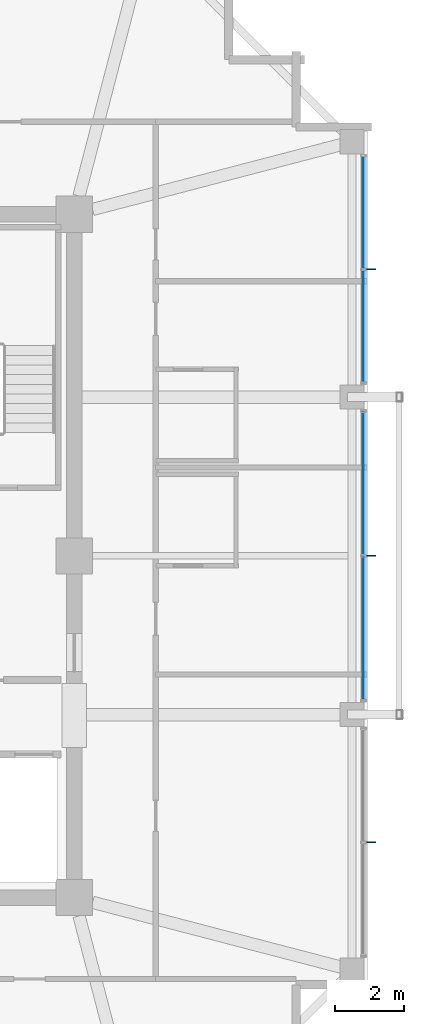
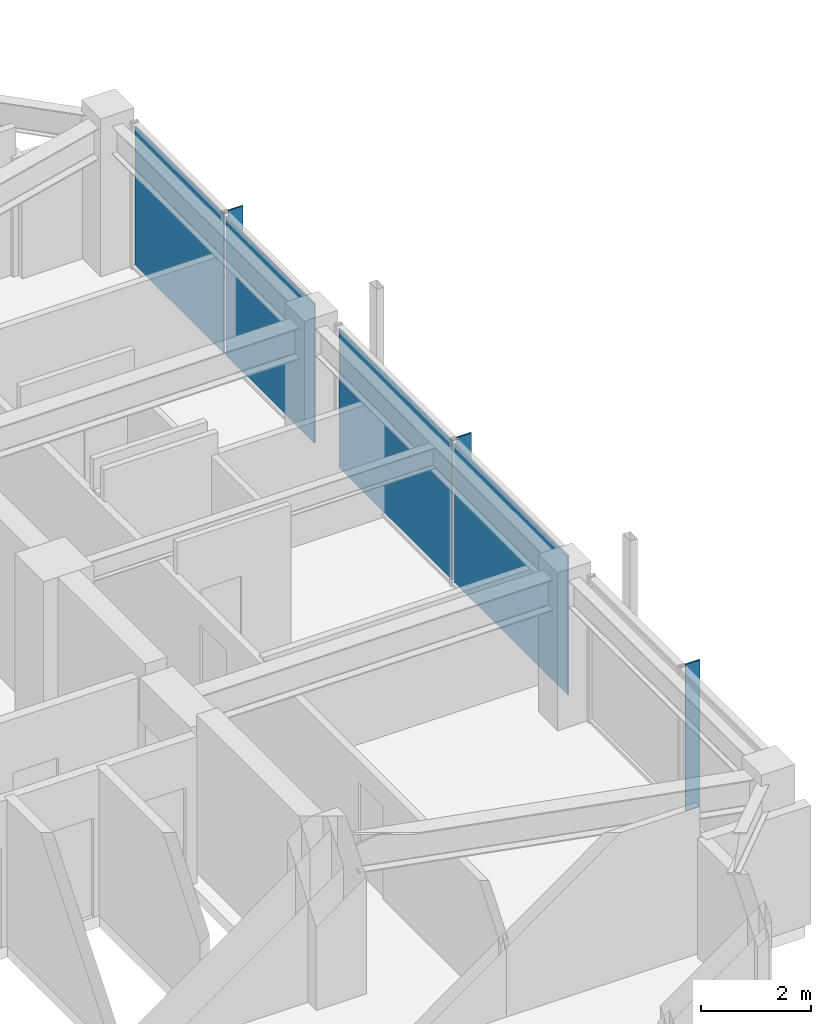
# One storey, part 25 of 34: 7 plates, 2 elements without a shape of their own.
"""IFC4 building model written with IfcOpenShell, lengths in metres."""

from ifc_helpers import new_model, si_unit, direction, frame, origin, origin_2d, place, context, subcontext, project, spatial, rectangle, extrude, material, layer, layer_set, type_object, element, aggregate, save


model = new_model("IFC4")

# Units and contexts
model_context = context("Model", 3, precision=1e-05, world=origin(), true_north=direction((0.0, 1.0)))
body_context = subcontext(model_context, "Body", "Model", "MODEL_VIEW")
ifc_project = project(units=[si_unit("LENGTHUNIT", "METRE"), si_unit("AREAUNIT", "SQUARE_METRE"), si_unit("VOLUMEUNIT", "CUBIC_METRE"), si_unit("PLANEANGLEUNIT", "RADIAN"), si_unit("MASSUNIT", "GRAM", prefix="KILO")], contexts=[model_context])

# Site, building, storey
site_placement = place(None, origin())
site = spatial("IfcSite", under=ifc_project, at=site_placement, CompositionType="ELEMENT")
building_placement = place(site_placement, origin())
building = spatial("IfcBuilding", under=site, at=building_placement, Name="Kolvaren Belvedere", CompositionType="ELEMENT")
storey_placement = place(building_placement, frame((0.0, 0.0, 240.89990234375)))
storey = spatial("IfcBuildingStorey", under=building, at=storey_placement, Name="L70", CompositionType="ELEMENT", Elevation=240.89990234375)

# Curtain wall, plates
ifc_material_1 = material(Name="Anodised pale-metal aluminium AA 6063-T6", Category="aluminium")
curtain_wall_type = type_object("IfcCurtainWallType", Name="CW-Z5-HIGH", PredefinedType="NOTDEFINED", material=ifc_material_1)
curtain_wall_1_placement = place(storey_placement, origin())
curtain_wall_1 = element("IfcCurtainWall", 1, at=curtain_wall_1_placement, inside=storey, type_object=curtain_wall_type, Name="L70 Unitised Curtain Wall FCW-L70-E-B1", PredefinedType="NOTDEFINED")
ifc_material_2 = material(Name="Low-iron triple insulated glass", Category="glass")
ifc_layer_1 = layer(ifc_material_2, 0.028076171875)
ifc_layer_set_1 = layer_set([ifc_layer_1], Name="Low-iron triple insulated glass")
plate_type_1 = type_object("IfcPlateType", Name="CW-PNL-VIS28", PredefinedType="CURTAIN_PANEL", material=ifc_layer_set_1)
plate_1_placement = place(storey_placement, frame((18.280029296875, 9.947509765625, 0.080078125), z_axis=(0.0, 0.0, 1.0), x_axis=(0.0, -1.0, 0.0)))
plate_1 = element("IfcPlate", 2, at=plate_1_placement, type_object=plate_type_1, Name="FCW-L70-E-B1 Vision Glazing Panel 1", PredefinedType="CURTAIN_PANEL", context=body_context, shape_type="SweptSolid", body=[
    extrude(rectangle(XDim=3.215087890625, YDim=0.028076171875, at=origin_2d()), origin(), (0.0, 0.0, 1.0), 3.090087890625),
])
plate_2_placement = place(storey_placement, frame((18.280029296875, 6.652587890625, 0.080078125), z_axis=(0.0, 0.0, 1.0), x_axis=(0.0, -1.0, 0.0)))
plate_2 = element("IfcPlate", 3, at=plate_2_placement, type_object=plate_type_1, Name="FCW-L70-E-B1 Vision Glazing Panel 2", PredefinedType="CURTAIN_PANEL", context=body_context, shape_type="SweptSolid", body=[
    extrude(rectangle(XDim=3.215087890625, YDim=0.028076171875, at=origin_2d()), origin(), (0.0, 0.0, 1.0), 3.090087890625),
])
aggregate(curtain_wall_1, [plate_1, plate_2])

curtain_wall_2_placement = place(storey_placement, origin())
curtain_wall_2 = element("IfcCurtainWall", 4, at=curtain_wall_2_placement, inside=storey, type_object=curtain_wall_type, Name="L70 Unitised Curtain Wall FCW-L70-E-B2", PredefinedType="NOTDEFINED")
plate_3_placement = place(storey_placement, frame((18.280029296875, 2.097412109375, 0.080078125), z_axis=(0.0, 0.0, 1.0), x_axis=(0.0, -1.0, 0.0)))
plate_3 = element("IfcPlate", 5, at=plate_3_placement, type_object=plate_type_1, Name="FCW-L70-E-B2 Vision Glazing Panel 1", PredefinedType="CURTAIN_PANEL", context=body_context, shape_type="SweptSolid", body=[
    extrude(rectangle(XDim=4.114990234375, YDim=0.028076171875, at=origin_2d()), origin(), (0.0, 0.0, 1.0), 3.090087890625),
])
plate_4_placement = place(storey_placement, frame((18.280029296875, -2.097412109375, 0.080078125), z_axis=(0.0, 0.0, 1.0), x_axis=(0.0, -1.0, 0.0)))
plate_4 = element("IfcPlate", 6, at=plate_4_placement, type_object=plate_type_1, Name="FCW-L70-E-B2 Vision Glazing Panel 2", PredefinedType="CURTAIN_PANEL", context=body_context, shape_type="SweptSolid", body=[
    extrude(rectangle(XDim=4.114990234375, YDim=0.028076171875, at=origin_2d()), origin(), (0.0, 0.0, 1.0), 3.090087890625),
])
aggregate(curtain_wall_2, [plate_3, plate_4])

# Plates
ifc_material_3 = material(Name="Anodised pale-metal aluminium AA 6063-T6", Category="aluminium")
ifc_layer_2 = layer(ifc_material_3, 0.030029296875)
ifc_layer_set_2 = layer_set([ifc_layer_2], Name="Anodised pale-metal aluminium AA 6063-T6")
plate_type_2 = type_object("IfcPlateType", Name="FIN-VERT-300", PredefinedType="USERDEFINED", material=ifc_layer_set_2)
for number, where, z_axis, x_axis, name in (
    (7, (18.489990234375, 8.300048828125, 0.0), (0.0, 0.0, 1.0), (1.0, 0.0, 0.0), "L70 Pale-Metal Vertical Shading Fin FCW-L70-E-B1-1"),
    (8, (18.489990234375, 0.0, 0.0), (0.0, 0.0, 1.0), (1.0, 0.0, 0.0), "L70 Pale-Metal Vertical Shading Fin FCW-L70-E-B2-1"),
    (9, (18.489990234375, -8.300048828125, 0.0), (0.0, 0.0, 1.0), (1.0, 0.0, 0.0), "L70 Pale-Metal Vertical Shading Fin FCW-L70-E-B3-1"),
):
    element("IfcPlate", number, at=place(storey_placement, frame(where, z_axis=z_axis, x_axis=x_axis)), inside=storey, type_object=plate_type_2, Name=name, ObjectType="VERTICAL FIN", PredefinedType="USERDEFINED", context=body_context, shape_type="SweptSolid", body=[
        extrude(rectangle(XDim=0.300048828125, YDim=0.030029296875, at=origin_2d()), origin(), (0.0, 0.0, 1.0), 3.25),
    ])

save(model, "model.ifc")
